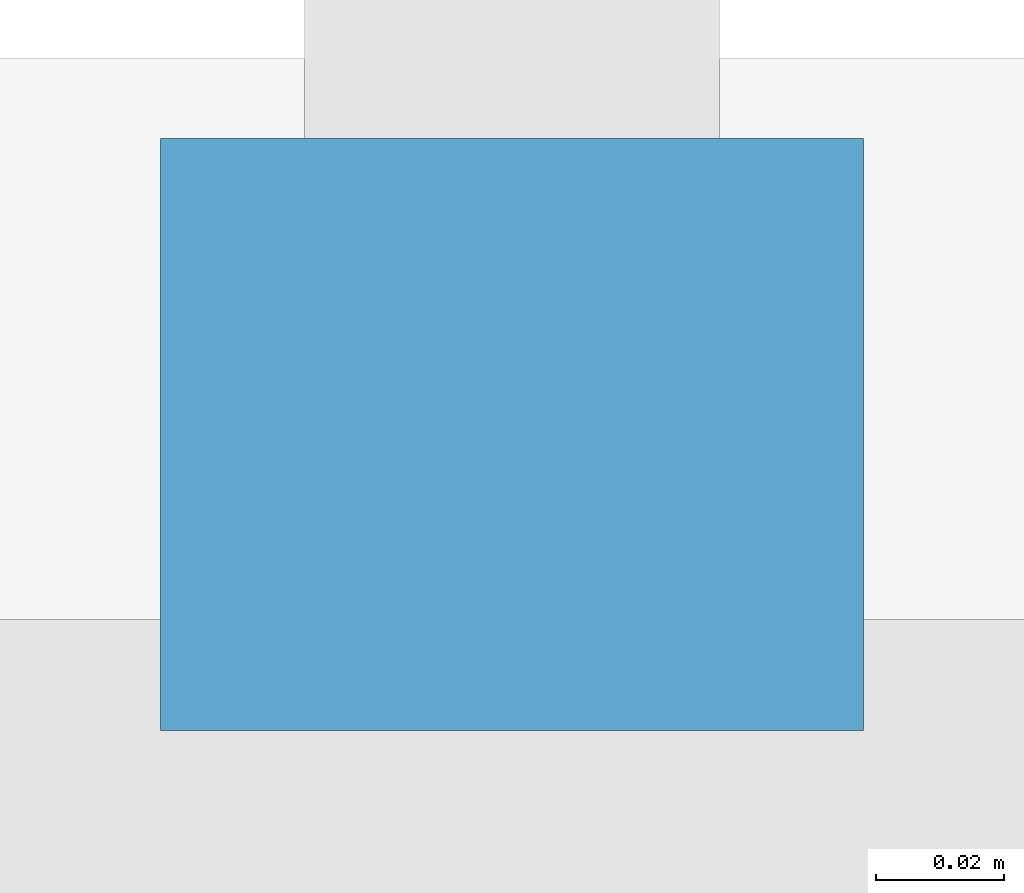
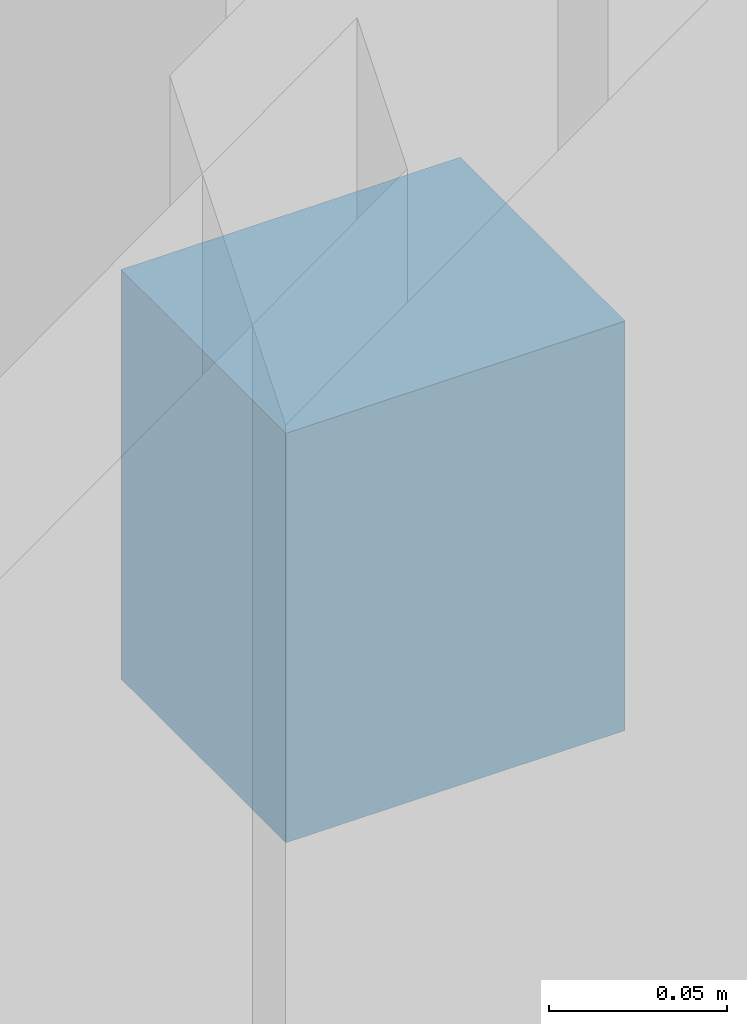
# One storey, part 13 of 15: 1 discrete accessory.
"""IFC4 building model written with IfcOpenShell, lengths in metres."""

import ifcopenshell
import ifcopenshell.guid

model = None  # the IFC model being written
_history = None  # IfcOwnerHistory: only IFC2X3 demands one
_inside = {}  # id of a spatial element -> (the spatial element, [elements in it])
_under = {}  # id of a project, library or spatial element -> (it, [spatial elements below it])
_declared = {}  # id of a project -> (the project, [libraries it declares])
_typed = {}  # id of a type object -> (the type object, [elements of that type])
_made_of = {}  # id of a material, layer set ... -> (it, [elements and type objects made of it])


def new_model(schema):
    """Start an empty IFC model of exactly this schema.

    Asked for "IFC4X3", IfcOpenShell would pick the latest addendum, in which some entities
    have other attributes; the version numbers below select the first issue.
    IFC2X3 requires an IfcOwnerHistory on every rooted entity: one is made here for all.
    """
    global model, _history
    if schema == "IFC4X3":
        model = ifcopenshell.file(schema_version=(4, 3, 0, 0))
    else:
        model = ifcopenshell.file(schema=schema)
    _inside.clear()
    _under.clear()
    _declared.clear()
    _typed.clear()
    _made_of.clear()
    _history = None
    if model.schema == "IFC2X3":
        org = make("IfcOrganization", Name="unknown")
        user = make(
            "IfcPersonAndOrganization",
            ThePerson=make("IfcPerson", FamilyName="unknown"),
            TheOrganization=org,
        )
        app = make(
            "IfcApplication",
            ApplicationDeveloper=org,
            Version="unknown",
            ApplicationFullName="unknown",
            ApplicationIdentifier="unknown",
        )
        _history = make(
            "IfcOwnerHistory",
            OwningUser=user,
            OwningApplication=app,
            ChangeAction="ADDED",
            CreationDate=0,
        )
    return model


def make(cls, **values):
    """One entity of the class cls with the attributes given. An attribute that is None is left unset."""
    return model.create_entity(
        cls, **{name: value for name, value in values.items() if value is not None}
    )


def rooted(cls, **values):
    """An entity with a GlobalId (a new one), such as an element, a storey or a relation."""
    return make(cls, GlobalId=ifcopenshell.guid.new(), OwnerHistory=_history, **values)


def si_unit(unit_type, name, prefix=None):
    """IfcSIUnit, for example si_unit("LENGTHUNIT", "METRE", prefix="MILLI")."""
    return make("IfcSIUnit", UnitType=unit_type, Prefix=prefix, Name=name)


def assignment(units):
    """IfcUnitAssignment: the units of a project."""
    return None if units is None else make("IfcUnitAssignment", Units=units)


def point(xyz):
    """IfcCartesianPoint."""
    return None if xyz is None else make("IfcCartesianPoint", Coordinates=xyz)


def direction(xyz):
    """IfcDirection."""
    return None if xyz is None else make("IfcDirection", DirectionRatios=xyz)


def frame(location, z_axis=None, x_axis=None):
    """IfcAxis2Placement3D, a coordinate frame: its origin and axes. An axis left out is left unset."""
    return make(
        "IfcAxis2Placement3D",
        Location=point(location),
        Axis=direction(z_axis),
        RefDirection=direction(x_axis),
    )


def origin():
    """The frame at (0, 0, 0) with its axes left unset."""
    return frame((0.0, 0.0, 0.0))


def place(relative_to, where):
    """IfcLocalPlacement: puts the frame where relative to a parent placement (None: the world)."""
    return make(
        "IfcLocalPlacement", PlacementRelTo=relative_to, RelativePlacement=where
    )


def context(
    kind, dimensions, precision=None, world=None, true_north=None, identifier=None
):
    """IfcGeometricRepresentationContext, for example the 3D "Model" context."""
    return make(
        "IfcGeometricRepresentationContext",
        ContextIdentifier=identifier,
        ContextType=kind,
        CoordinateSpaceDimension=dimensions,
        Precision=precision,
        WorldCoordinateSystem=world,
        TrueNorth=true_north,
    )


def subcontext(parent, identifier, kind, view, scale=None):
    """IfcGeometricRepresentationSubContext, for example "Body" below "Model"."""
    return make(
        "IfcGeometricRepresentationSubContext",
        ContextIdentifier=identifier,
        ContextType=kind,
        ParentContext=parent,
        TargetScale=scale,
        TargetView=view,
    )


def project(units=None, contexts=None):
    """IfcProject with its units and contexts."""
    return rooted(
        "IfcProject",
        Name="project",
        RepresentationContexts=contexts,
        UnitsInContext=assignment(units),
    )


def spatial(cls, under=None, at=None, **own):
    """A site, building, storey or space (cls), placed at a placement, below another one or the project."""
    s = rooted(cls, ObjectPlacement=at, **own)
    if under is not None:
        _under.setdefault(under.id(), (under, []))[1].append(s)
    return s


def polyline(points):
    """IfcPolyline through the points."""
    return make("IfcPolyline", Points=[point(p) for p in points])


def outline(outer, holes=None, kind="AREA"):
    """IfcArbitraryClosedProfileDef: a profile drawn as a closed curve; with holes, ...WithVoids."""
    if holes is None:
        return make("IfcArbitraryClosedProfileDef", ProfileType=kind, OuterCurve=outer)
    return make(
        "IfcArbitraryProfileDefWithVoids",
        ProfileType=kind,
        OuterCurve=outer,
        InnerCurves=holes,
    )


def extrude(swept, where, along, depth):
    """IfcExtrudedAreaSolid: the profile swept, set in the frame where, extruded along a direction by depth."""
    return make(
        "IfcExtrudedAreaSolid",
        SweptArea=swept,
        Position=where,
        ExtrudedDirection=direction(along),
        Depth=depth,
    )


def shape(context_of_items, identifier, shape_type, items):
    """IfcShapeRepresentation: the items that make up one representation, for example the "Body"."""
    return make(
        "IfcShapeRepresentation",
        ContextOfItems=context_of_items,
        RepresentationIdentifier=identifier,
        RepresentationType=shape_type,
        Items=items,
    )


def material(Name=None, Category=None):
    """IfcMaterial."""
    return make("IfcMaterial", Name=Name, Category=Category)


def made_of(thing, what):
    """Note that an element or type object is made of a material, layer set ...; save() writes the relation."""
    if what is not None:
        _made_of.setdefault(what.id(), (what, []))[1].append(thing)
    return thing


def type_object(cls, material=None, **own):
    """A type object (cls), such as IfcWallType, which elements share."""
    return made_of(rooted(cls, **own), material)


def element(
    cls,
    number,
    at=None,
    inside=None,
    cuts=None,
    type_object=None,
    material=None,
    context=None,
    identifier="Body",
    shape_type=None,
    held_by="IfcProductDefinitionShape",
    body=None,
    shapes=None,
    **own,
):
    """One element of the class cls, such as IfcWall. Its Tag is "e" and its number.

    at: its placement. inside: the storey or other place that contains it. cuts: it is an
    opening in that element (IfcRelVoidsElement). A single representation is given by context,
    identifier, shape_type and body (its items); several are given by shapes. held_by: the class
    of the entity that holds the representations. save() writes the other relations.
    """
    e = rooted(cls, Tag="e%d" % number, ObjectPlacement=at, **own)
    if body is not None:
        shapes = [shape(context, identifier, shape_type, body)]
    if shapes is not None:
        e.Representation = make(held_by, Representations=shapes)
    if inside is not None:
        _inside.setdefault(inside.id(), (inside, []))[1].append(e)
    if cuts is not None:
        rooted(
            "IfcRelVoidsElement", RelatingBuildingElement=cuts, RelatedOpeningElement=e
        )
    if type_object is not None:
        _typed.setdefault(type_object.id(), (type_object, []))[1].append(e)
    return made_of(e, material)


def aggregate(whole, parts):
    """IfcRelAggregates: a whole, such as a stair, and the parts it consists of."""
    return rooted("IfcRelAggregates", RelatingObject=whole, RelatedObjects=parts)


def save(model, path):
    """Write the relations noted so far, then the file.

    IfcRelAggregates (storeys below a building ...), IfcRelContainedInSpatialStructure (elements
    in a storey), IfcRelDefinesByType, IfcRelAssociatesMaterial and IfcRelDeclares: one each for
    every whole, place, type object, material and project.
    """
    for whole, parts in _under.values():
        aggregate(whole, parts)
    for where, things in _inside.values():
        rooted(
            "IfcRelContainedInSpatialStructure",
            RelatedElements=things,
            RelatingStructure=where,
        )
    for kind, things in _typed.values():
        rooted("IfcRelDefinesByType", RelatedObjects=things, RelatingType=kind)
    for what, things in _made_of.values():
        rooted("IfcRelAssociatesMaterial", RelatedObjects=things, RelatingMaterial=what)
    for by, libraries in _declared.values():
        rooted("IfcRelDeclares", RelatingContext=by, RelatedDefinitions=libraries)
    model.write(path)


model = new_model("IFC4")

# Units and contexts
model_context = context("Model", 3, precision=1e-05, world=origin(), true_north=direction((0.0, 1.0)))
body_context = subcontext(model_context, "Body", "Model", "MODEL_VIEW")
ifc_project = project(units=[si_unit("LENGTHUNIT", "METRE"), si_unit("AREAUNIT", "SQUARE_METRE"), si_unit("VOLUMEUNIT", "CUBIC_METRE"), si_unit("PLANEANGLEUNIT", "RADIAN"), si_unit("MASSUNIT", "GRAM", prefix="KILO")], contexts=[model_context])

# Site, building, storey
site_placement = place(None, origin())
site = spatial("IfcSite", under=ifc_project, at=site_placement, CompositionType="ELEMENT")
building_placement = place(site_placement, origin())
building = spatial("IfcBuilding", under=site, at=building_placement, Name="Qalmaran Belvedere Hotel", CompositionType="ELEMENT")
storey_placement = place(building_placement, frame((0.0, 0.0, 214.39990234375)))
storey = spatial("IfcBuildingStorey", under=building, at=storey_placement, Name="L54", CompositionType="ELEMENT", Elevation=214.39990234375)

# Discrete accessory
ifc_material = material(Name="Stainless Steel 1.4401", Category="steel")
discrete_accessory_type = type_object("IfcDiscreteAccessoryType", Name="BRK-FIN-SS316", PredefinedType="BRACKET", material=ifc_material)
discrete_accessory_placement = place(storey_placement, frame((0.0, 0.0, 1.580078125)))
element("IfcDiscreteAccessory", 1, at=discrete_accessory_placement, inside=storey, type_object=discrete_accessory_type, Name="L54 Fin Bracket 1", PredefinedType="BRACKET", context=body_context, shape_type="SweptSolid", body=[
    extrude(outline(polyline([(23.429931640625, 41.39501953125), (23.429931640625, 41.487548828125), (23.320068359375, 41.487548828125), (23.320068359375, 41.39501953125), (23.429931640625, 41.39501953125)])), origin(), (0.0, 0.0, 1.0), 0.14013671875),
])

save(model, "model.ifc")
